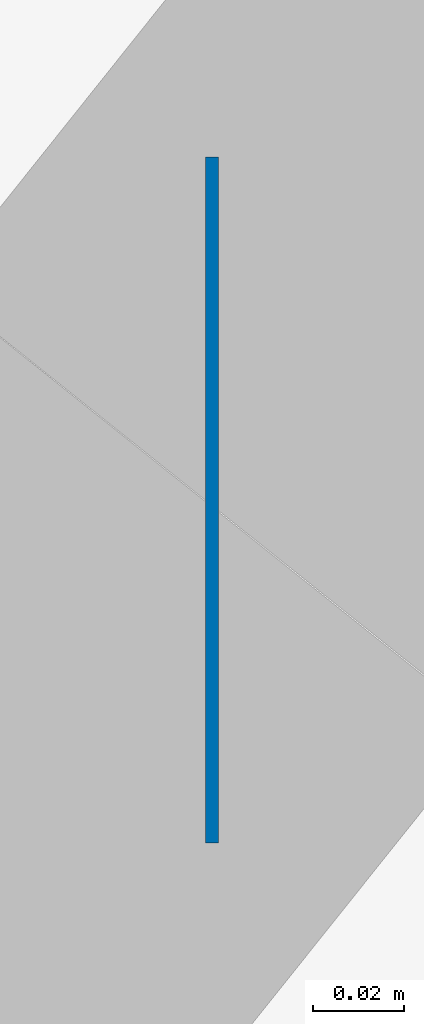
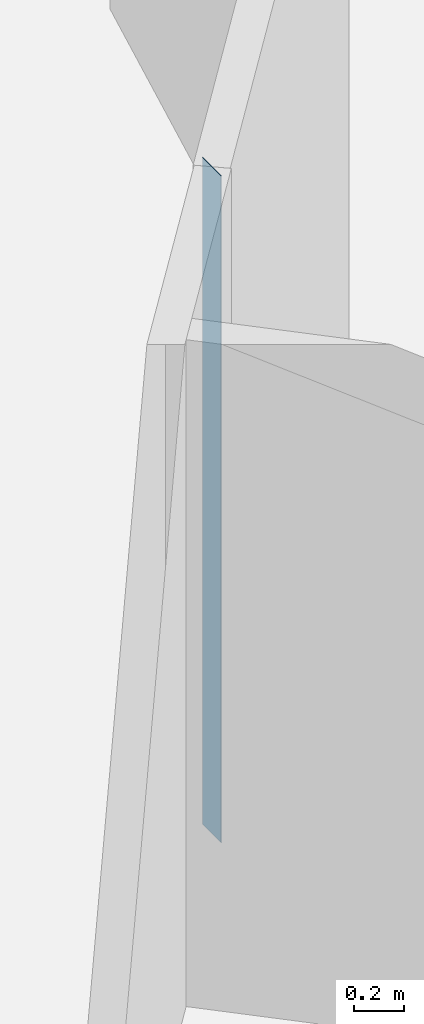
# One storey, part 4 of 12: 1 wall.
"""IFC4 building model written with IfcOpenShell, lengths in metres."""

from ifc_helpers import new_model, si_unit, direction, frame, frame_2d, origin, place, context, subcontext, project, spatial, rectangle, extrude, material, layer, layer_set, type_object, element, save


model = new_model("IFC4")

# Units and contexts
model_context = context("Model", 3, precision=1e-05, world=origin(), true_north=direction((0.0, 1.0)))
body_context = subcontext(model_context, "Body", "Model", "MODEL_VIEW")
ifc_project = project(units=[si_unit("LENGTHUNIT", "METRE"), si_unit("AREAUNIT", "SQUARE_METRE"), si_unit("VOLUMEUNIT", "CUBIC_METRE"), si_unit("PLANEANGLEUNIT", "RADIAN"), si_unit("MASSUNIT", "GRAM", prefix="KILO")], contexts=[model_context])

# Site, building, storey
site_placement = place(None, origin())
site = spatial("IfcSite", under=ifc_project, at=site_placement, CompositionType="ELEMENT")
building_placement = place(site_placement, origin())
building = spatial("IfcBuilding", under=site, at=building_placement, Name="Tracery Tower", CompositionType="ELEMENT")
storey_placement = place(building_placement, frame((0.0, 0.0, 323.39990234375)))
storey = spatial("IfcBuildingStorey", under=building, at=storey_placement, Name="L84", CompositionType="ELEMENT", Elevation=323.39990234375)

# Wall
ifc_material = material(Name="Plasterboard on steel studs", Category="steel")
ifc_layer = layer(ifc_material, 0.14990234375)
ifc_layer_set = layer_set([ifc_layer], Name="Partition 150 corridor wall")
wall_type = type_object("IfcWallType", Name="Partition 150 corridor wall", PredefinedType="PARTITIONING", material=ifc_layer_set)
wall_placement = place(storey_placement, frame((11.136962890625, -8.800048828125, 0.0), z_axis=(0.0, 0.0, 1.0), x_axis=(-1.0, 0.0, 0.0)))
element("IfcWall", 1, at=wall_placement, inside=storey, type_object=wall_type, Name="Corridor wall RC10-015", PredefinedType="PARTITIONING", context=body_context, shape_type="SweptSolid", body=[
    extrude(rectangle(XDim=0.0029296875, YDim=0.14990234375, at=frame_2d((0.00146484375, 0.0))), origin(), (0.0, 0.0, 1.0), 3.25),
])

save(model, "model.ifc")
